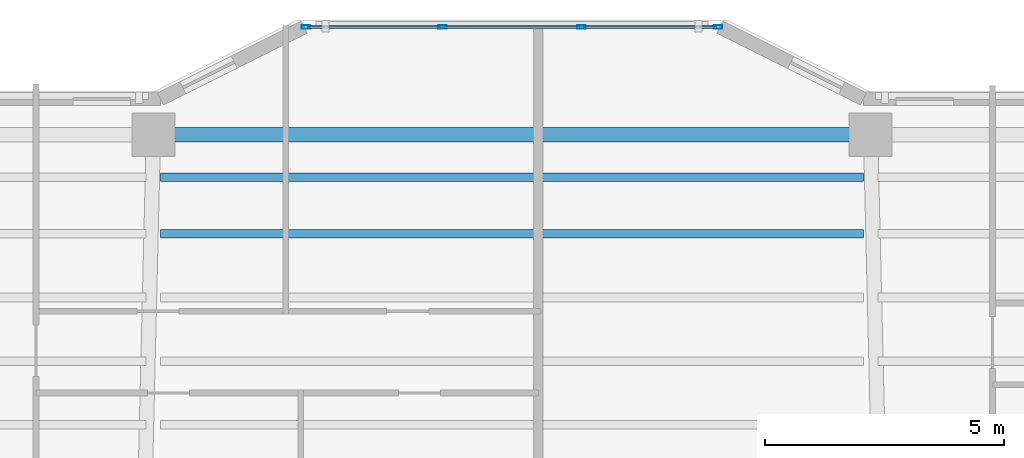
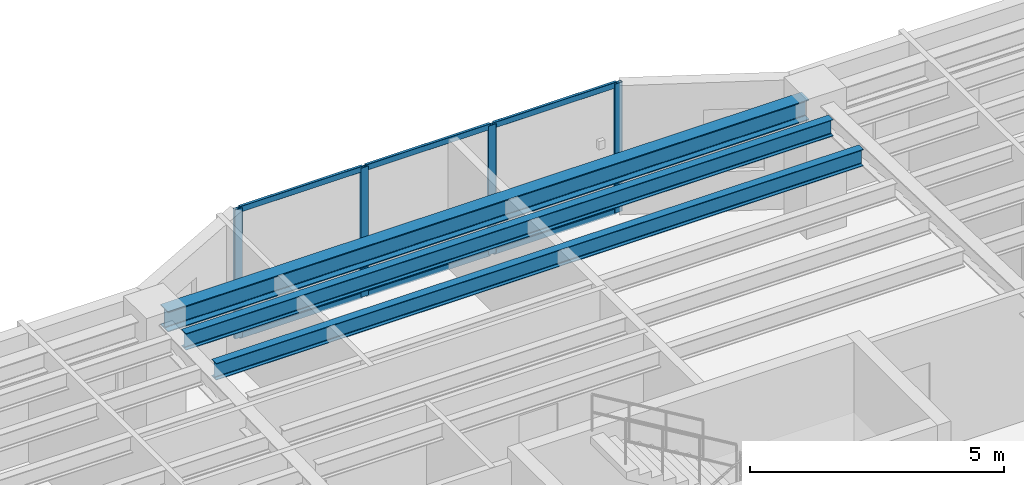
# One storey, part 4 of 15: 10 members, 3 beams, 1 element without a shape of its own.
"""IFC4 building model written with IfcOpenShell, lengths in metres."""

from ifc_helpers import new_model, si_unit, direction, frame, origin, origin_2d, place, context, subcontext, project, spatial, hollow_rectangle, i_section, extrude, material, layer, layer_set, material_profile, profile_set, type_object, element, aggregate, save


model = new_model("IFC4")

# Units and contexts
model_context = context("Model", 3, precision=1e-05, world=origin(), true_north=direction((0.0, 1.0)))
body_context = subcontext(model_context, "Body", "Model", "MODEL_VIEW")
ifc_project = project(units=[si_unit("LENGTHUNIT", "METRE"), si_unit("AREAUNIT", "SQUARE_METRE"), si_unit("VOLUMEUNIT", "CUBIC_METRE"), si_unit("PLANEANGLEUNIT", "RADIAN"), si_unit("MASSUNIT", "GRAM", prefix="KILO")], contexts=[model_context])

# Site, building, storey
site_placement = place(None, origin())
site = spatial("IfcSite", under=ifc_project, at=site_placement, CompositionType="ELEMENT")
building_placement = place(site_placement, origin())
building = spatial("IfcBuilding", under=site, at=building_placement, Name="Tarnavaz Court Tower", CompositionType="ELEMENT")
storey_placement = place(building_placement, frame((0.0, 0.0, 162.75)))
storey = spatial("IfcBuildingStorey", under=building, at=storey_placement, Name="L44", CompositionType="ELEMENT", Elevation=162.75)

# Beams
ifc_material_1 = material(Name="Steel S355", Category="steel")
ifc_material_profile_1 = material_profile(ifc_material_1, i_section(OverallWidth=0.179931640625, OverallDepth=0.39990234375, WebThickness=0.008544921875, FlangeThickness=0.013427734375, FilletRadius=0.02099609375, at=origin_2d()), Name="IPE 400")
ifc_profile_set_1 = profile_set([ifc_material_profile_1], Name="Steel S355")
beam_type_1 = type_object("IfcBeamType", Name="BM-J-IPE400", PredefinedType="JOIST", material=ifc_profile_set_1)
for number, where, z_axis, x_axis, name in (
    (1, (-7.35009765625, 18.327880859375, 2.89990234375), (1.0, 0.0, 0.0), (0.0, 1.0, 0.0), "L44 Beam JN4-2"),
    (2, (-7.35009765625, 19.511962890625, 2.89990234375), (1.0, 0.0, 0.0), (0.0, 1.0, 0.0), "L44 Beam JN5-2"),
):
    element("IfcBeam", number, at=place(storey_placement, frame(where, z_axis=z_axis, x_axis=x_axis)), inside=storey, type_object=beam_type_1, Name=name, PredefinedType="JOIST", context=body_context, shape_type="SweptSolid", body=[
        extrude(i_section(OverallWidth=0.179931640625, OverallDepth=0.39990234375, WebThickness=0.008544921875, FlangeThickness=0.013427734375, FilletRadius=0.02099609375, at=origin_2d()), origin(), (0.0, 0.0, 1.0), 14.7001953125),
    ])
ifc_material_profile_2 = material_profile(ifc_material_1, i_section(OverallWidth=0.300048828125, OverallDepth=0.489990234375, WebThickness=0.011962890625, FlangeThickness=0.02294921875, FilletRadius=0.027099609375, at=origin_2d()), Name="HEA 500")
ifc_profile_set_2 = profile_set([ifc_material_profile_2], Name="Steel S355")
beam_type_2 = type_object("IfcBeamType", Name="BM-SP-HEA500", PredefinedType="SPANDREL", material=ifc_profile_set_2)
beam_placement = place(storey_placement, frame((-7.280029296875, 20.39990234375, 2.85498046875), z_axis=(1.0, 0.0, 0.0), x_axis=(0.0, 1.0, 0.0)))
element("IfcBeam", 3, at=beam_placement, inside=storey, type_object=beam_type_2, Name="L44 Beam PR-PN-2-PN-3", PredefinedType="SPANDREL", context=body_context, shape_type="SweptSolid", body=[
    extrude(i_section(OverallWidth=0.300048828125, OverallDepth=0.489990234375, WebThickness=0.011962890625, FlangeThickness=0.02294921875, FilletRadius=0.027099609375, at=origin_2d()), origin(), (0.0, 0.0, 1.0), 14.56005859375),
])

# Curtain wall, members
ifc_material_2 = material(Name="Anodised Aluminium 6063-T6 and Solar Low-E Glazing", Category="aluminium")
ifc_layer = layer(ifc_material_2, 0.159912109375)
ifc_layer_set = layer_set([ifc_layer], Name="Anodised Aluminium 6063-T6 and Solar Low-E Glazing")
curtain_wall_type = type_object("IfcCurtainWallType", Name="CW-SYS-03", PredefinedType="NOTDEFINED", material=ifc_layer_set)
curtain_wall_placement = place(storey_placement, origin())
curtain_wall = element("IfcCurtainWall", 4, at=curtain_wall_placement, inside=storey, type_object=curtain_wall_type, Name="L44 Iwan Prow Curtain Wall 7", PredefinedType="NOTDEFINED")
ifc_material_3 = material(Name="Anodised Aluminium 6063-T6", Category="aluminium")
ifc_material_profile_3 = material_profile(ifc_material_3, hollow_rectangle(XDim=0.074951171875, YDim=0.179931640625, WallThickness=0.0048828125, InnerFilletRadius=0.0048828125, OuterFilletRadius=0.010009765625, at=origin_2d()), Name="ALU RHS 180X75X5")
ifc_profile_set_3 = profile_set([ifc_material_profile_3], Name="Anodised Aluminium 6063-T6")
member_type_1 = type_object("IfcMemberType", Name="CW-MUL-180", PredefinedType="MULLION", material=ifc_profile_set_3)
member_1_placement = place(storey_placement, frame((-4.3125, 22.64990234375, 0.0), z_axis=(0.0, 0.0, 1.0), x_axis=(0.0, 1.0, 0.0)))
member_1 = element("IfcMember", 5, at=member_1_placement, type_object=member_type_1, Name="CW mullion 1", PredefinedType="MULLION", context=body_context, shape_type="SweptSolid", body=[
    extrude(hollow_rectangle(XDim=0.074951171875, YDim=0.179931640625, WallThickness=0.0048828125, InnerFilletRadius=0.0048828125, OuterFilletRadius=0.010009765625, at=origin_2d()), origin(), (0.0, 0.0, 1.0), 3.10009765625),
])
member_2_placement = place(storey_placement, frame((-1.449951171875, 22.64990234375, 0.0), z_axis=(0.0, 0.0, 1.0), x_axis=(0.0, 1.0, 0.0)))
member_2 = element("IfcMember", 6, at=member_2_placement, type_object=member_type_1, Name="CW mullion 2", PredefinedType="MULLION", context=body_context, shape_type="SweptSolid", body=[
    extrude(hollow_rectangle(XDim=0.074951171875, YDim=0.179931640625, WallThickness=0.0048828125, InnerFilletRadius=0.0048828125, OuterFilletRadius=0.010009765625, at=origin_2d()), origin(), (0.0, 0.0, 1.0), 3.10009765625),
])
member_3_placement = place(storey_placement, frame((1.449951171875, 22.64990234375, 0.0), z_axis=(0.0, 0.0, 1.0), x_axis=(0.0, 1.0, 0.0)))
member_3 = element("IfcMember", 7, at=member_3_placement, type_object=member_type_1, Name="CW mullion 3", PredefinedType="MULLION", context=body_context, shape_type="SweptSolid", body=[
    extrude(hollow_rectangle(XDim=0.074951171875, YDim=0.179931640625, WallThickness=0.0048828125, InnerFilletRadius=0.0048828125, OuterFilletRadius=0.010009765625, at=origin_2d()), origin(), (0.0, 0.0, 1.0), 3.10009765625),
])
member_4_placement = place(storey_placement, frame((4.3125, 22.64990234375, 0.0), z_axis=(0.0, 0.0, 1.0), x_axis=(0.0, 1.0, 0.0)))
member_4 = element("IfcMember", 8, at=member_4_placement, type_object=member_type_1, Name="CW mullion 4", PredefinedType="MULLION", context=body_context, shape_type="SweptSolid", body=[
    extrude(hollow_rectangle(XDim=0.074951171875, YDim=0.179931640625, WallThickness=0.0048828125, InnerFilletRadius=0.0048828125, OuterFilletRadius=0.010009765625, at=origin_2d()), origin(), (0.0, 0.0, 1.0), 3.10009765625),
])
ifc_material_profile_4 = material_profile(ifc_material_3, hollow_rectangle(XDim=0.06494140625, YDim=0.139892578125, WallThickness=0.00390625, InnerFilletRadius=0.00390625, OuterFilletRadius=0.008056640625, at=origin_2d()), Name="ALU RHS 140X65X4")
ifc_profile_set_4 = profile_set([ifc_material_profile_4], Name="Anodised Aluminium 6063-T6")
member_type_2 = type_object("IfcMemberType", Name="CW-TRN-140", PredefinedType="USERDEFINED", material=ifc_profile_set_4)
member_5_placement = place(storey_placement, frame((-4.27490234375, 22.64990234375, 0.032470703125), z_axis=(1.0, 0.0, 0.0), x_axis=(0.0, 1.0, 0.0)))
member_5 = element("IfcMember", 9, at=member_5_placement, type_object=member_type_2, Name="CW transom 1.1", ObjectType="TRANSOM", PredefinedType="USERDEFINED", context=body_context, shape_type="SweptSolid", body=[
    extrude(hollow_rectangle(XDim=0.06494140625, YDim=0.139892578125, WallThickness=0.00390625, InnerFilletRadius=0.00390625, OuterFilletRadius=0.008056640625, at=origin_2d()), origin(), (0.0, 0.0, 1.0), 2.787353515625),
])
member_6_placement = place(storey_placement, frame((-4.27490234375, 22.64990234375, 3.0673828125), z_axis=(1.0, 0.0, 0.0), x_axis=(0.0, 1.0, 0.0)))
member_6 = element("IfcMember", 10, at=member_6_placement, type_object=member_type_2, Name="CW transom 1.2", ObjectType="TRANSOM", PredefinedType="USERDEFINED", context=body_context, shape_type="SweptSolid", body=[
    extrude(hollow_rectangle(XDim=0.06494140625, YDim=0.139892578125, WallThickness=0.00390625, InnerFilletRadius=0.00390625, OuterFilletRadius=0.008056640625, at=origin_2d()), origin(), (0.0, 0.0, 1.0), 2.787353515625),
])
member_7_placement = place(storey_placement, frame((-1.41259765625, 22.64990234375, 0.032470703125), z_axis=(1.0, 0.0, 0.0), x_axis=(0.0, 1.0, 0.0)))
member_7 = element("IfcMember", 11, at=member_7_placement, type_object=member_type_2, Name="CW transom 2.1", ObjectType="TRANSOM", PredefinedType="USERDEFINED", context=body_context, shape_type="SweptSolid", body=[
    extrude(hollow_rectangle(XDim=0.06494140625, YDim=0.139892578125, WallThickness=0.00390625, InnerFilletRadius=0.00390625, OuterFilletRadius=0.008056640625, at=origin_2d()), origin(), (0.0, 0.0, 1.0), 2.8251953125),
])
member_8_placement = place(storey_placement, frame((-1.41259765625, 22.64990234375, 3.0673828125), z_axis=(1.0, 0.0, 0.0), x_axis=(0.0, 1.0, 0.0)))
member_8 = element("IfcMember", 12, at=member_8_placement, type_object=member_type_2, Name="CW transom 2.2", ObjectType="TRANSOM", PredefinedType="USERDEFINED", context=body_context, shape_type="SweptSolid", body=[
    extrude(hollow_rectangle(XDim=0.06494140625, YDim=0.139892578125, WallThickness=0.00390625, InnerFilletRadius=0.00390625, OuterFilletRadius=0.008056640625, at=origin_2d()), origin(), (0.0, 0.0, 1.0), 2.8251953125),
])
member_9_placement = place(storey_placement, frame((1.487548828125, 22.64990234375, 0.032470703125), z_axis=(1.0, 0.0, 0.0), x_axis=(0.0, 1.0, 0.0)))
member_9 = element("IfcMember", 13, at=member_9_placement, type_object=member_type_2, Name="CW transom 3.1", ObjectType="TRANSOM", PredefinedType="USERDEFINED", context=body_context, shape_type="SweptSolid", body=[
    extrude(hollow_rectangle(XDim=0.06494140625, YDim=0.139892578125, WallThickness=0.00390625, InnerFilletRadius=0.00390625, OuterFilletRadius=0.008056640625, at=origin_2d()), origin(), (0.0, 0.0, 1.0), 2.787353515625),
])
member_10_placement = place(storey_placement, frame((1.487548828125, 22.64990234375, 3.0673828125), z_axis=(1.0, 0.0, 0.0), x_axis=(0.0, 1.0, 0.0)))
member_10 = element("IfcMember", 14, at=member_10_placement, type_object=member_type_2, Name="CW transom 3.2", ObjectType="TRANSOM", PredefinedType="USERDEFINED", context=body_context, shape_type="SweptSolid", body=[
    extrude(hollow_rectangle(XDim=0.06494140625, YDim=0.139892578125, WallThickness=0.00390625, InnerFilletRadius=0.00390625, OuterFilletRadius=0.008056640625, at=origin_2d()), origin(), (0.0, 0.0, 1.0), 2.787353515625),
])
aggregate(curtain_wall, [member_1, member_2, member_3, member_4, member_5, member_6, member_7, member_8, member_9, member_10])

save(model, "model.ifc")
